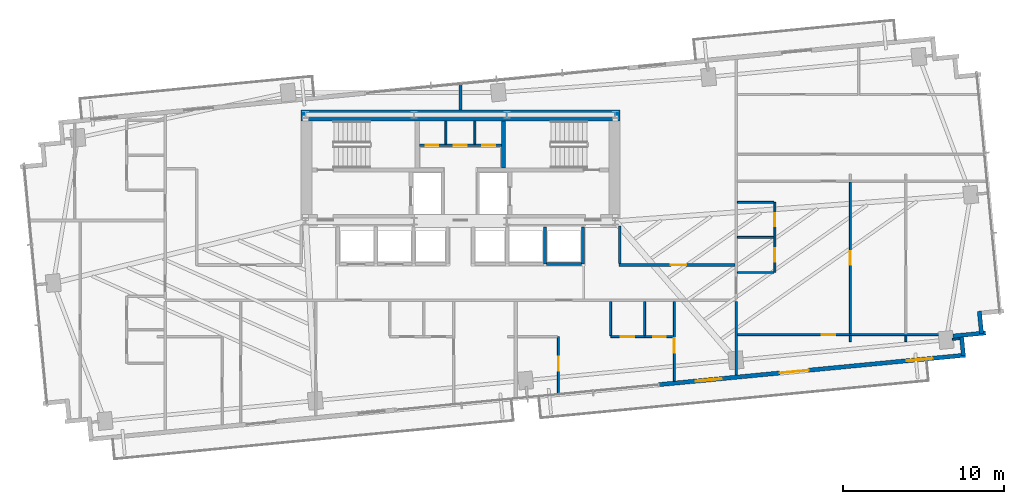
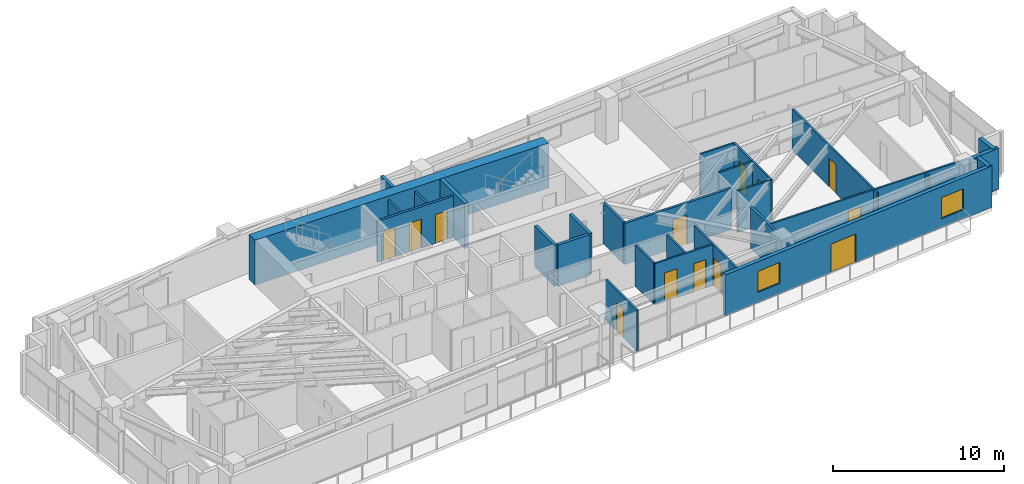
# One storey, part 23 of 27: 30 walls, 13 doors, 2 windows, 15 openings.
"""IFC4 building model written with IfcOpenShell, lengths in metres."""

from ifc_helpers import new_model, si_unit, direction, frame, frame_2d, origin, place, context, subcontext, project, spatial, rectangle, extrude, source, transform, mapped, material, layer, layer_set, type_object, type_shapes, element, fill, save


model = new_model("IFC4")

# Units and contexts
model_context = context("Model", 3, precision=1e-05, world=origin(), true_north=direction((0.0, 1.0)))
body_context = subcontext(model_context, "Body", "Model", "MODEL_VIEW")
ifc_project = project(units=[si_unit("LENGTHUNIT", "METRE"), si_unit("AREAUNIT", "SQUARE_METRE"), si_unit("VOLUMEUNIT", "CUBIC_METRE"), si_unit("PLANEANGLEUNIT", "RADIAN"), si_unit("MASSUNIT", "GRAM", prefix="KILO")], contexts=[model_context])

# Site, building, storey
site_placement = place(None, origin())
site = spatial("IfcSite", under=ifc_project, at=site_placement, CompositionType="ELEMENT")
building_placement = place(site_placement, origin())
building = spatial("IfcBuilding", under=site, at=building_placement, Name="Astriad Promenade Condominiums", CompositionType="ELEMENT")
storey_placement = place(building_placement, frame((0.0, 0.0, 84.199951171875)))
storey = spatial("IfcBuildingStorey", under=building, at=storey_placement, Name="L23", CompositionType="ELEMENT", Elevation=84.199951171875)

# Walls
ifc_material_1 = material(Name="Concrete C60/75", Category="concrete")
ifc_layer_1 = layer(ifc_material_1, 0.699951171875)
ifc_layer_set_1 = layer_set([ifc_layer_1], Name="Concrete C60/75")
wall_type_1 = type_object("IfcWallType", Name="CW-SHEAR-700", PredefinedType="SHEAR", material=ifc_layer_set_1)
wall_1_placement = place(storey_placement, frame((26.10009765625, 23.949951171875, 0.0), z_axis=(0.0, 0.0, 1.0), x_axis=(1.0, 0.0, 0.0)))
element("IfcWall", 1, at=wall_1_placement, inside=storey, type_object=wall_type_1, Name="CW-CORE-N-L23", PredefinedType="SHEAR", context=body_context, shape_type="SweptSolid", body=[
    extrude(rectangle(XDim=19.7998046875, YDim=0.699951171875, at=frame_2d((9.89990234375, 0.0))), origin(), (0.0, 0.0, 1.0), 3.199951171875),
])
ifc_material_2 = material(Name="Concrete C50/60", Category="concrete")
ifc_layer_2 = layer(ifc_material_2, 0.25)
ifc_layer_set_2 = layer_set([ifc_layer_2], Name="Concrete C50/60")
wall_type_2 = type_object("IfcWallType", Name="WALL-CORE-INT-250", PredefinedType="SOLIDWALL", material=ifc_layer_set_2)
wall_2_placement = place(storey_placement, frame((38.675048828125, 20.701904296875, 0.0), z_axis=(0.0, 0.0, 1.0), x_axis=(0.0, 1.0, 0.0)))
element("IfcWall", 2, at=wall_2_placement, inside=storey, type_object=wall_type_2, Name="CW-ST2-W-L23", PredefinedType="SOLIDWALL", context=body_context, shape_type="SweptSolid", body=[
    extrude(rectangle(XDim=2.89599609375, YDim=0.25, at=frame_2d((1.447998046875, 0.0))), origin(), (0.0, 0.0, 1.0), 3.199951171875),
])

# Wall, openings, doors
ifc_material_3 = material(Name="Fire-Rated Gypsum Partition")
ifc_layer_3 = layer(ifc_material_3, 0.159912109375)
ifc_layer_set_3 = layer_set([ifc_layer_3], Name="Fire-Rated Gypsum Partition")
wall_type_3 = type_object("IfcWallType", Name="WALL-CORR-160", PredefinedType="PARTITIONING", material=ifc_layer_set_3)
wall_3_placement = place(storey_placement, frame((33.451904296875, 22.10009765625, 0.0), z_axis=(0.0, 0.0, 1.0), x_axis=(1.0, 0.0, 0.0)))
wall_3 = element("IfcWall", 3, at=wall_3_placement, inside=storey, type_object=wall_type_3, Name="CW-AUX-N-L23", PredefinedType="PARTITIONING", context=body_context, shape_type="SweptSolid", body=[
    extrude(rectangle(XDim=5.09619140625, YDim=0.159912109375, at=frame_2d((2.548095703125, 0.0))), origin(), (0.0, 0.0, 1.0), 2.93994140625),
])
opening_1_placement = place(wall_3_placement, frame((0.387939453125, 0.0, 0.0)))
opening_1 = element("IfcOpeningElement", 4, at=opening_1_placement, cuts=wall_3, Name="Opening FD60-SV-080", PredefinedType="OPENING", context=body_context, shape_type="SweptSolid", body=[
    extrude(rectangle(XDim=0.800048828125, YDim=2.050048828125, at=frame_2d((0.39990234375, 1.02490234375))), frame((0.0, 0.08984375, 0.0), z_axis=(0.0, -1.0, 0.0), x_axis=(1.0, 0.0, 0.0)), (0.0, 0.0, 1.0), 0.179931640625),
])
opening_2_placement = place(wall_3_placement, frame((2.14794921875, 0.0, 0.0)))
opening_2 = element("IfcOpeningElement", 5, at=opening_2_placement, cuts=wall_3, Name="Opening FD60-SV-080", PredefinedType="OPENING", context=body_context, shape_type="SweptSolid", body=[
    extrude(rectangle(XDim=0.800048828125, YDim=2.050048828125, at=frame_2d((0.39990234375, 1.02490234375))), frame((0.0, 0.08984375, 0.0), z_axis=(0.0, -1.0, 0.0), x_axis=(1.0, 0.0, 0.0)), (0.0, 0.0, 1.0), 0.179931640625),
])
opening_3_placement = place(wall_3_placement, frame((3.907958984375, 0.0, 0.0)))
opening_3 = element("IfcOpeningElement", 6, at=opening_3_placement, cuts=wall_3, Name="Opening FD60-SV-080", PredefinedType="OPENING", context=body_context, shape_type="SweptSolid", body=[
    extrude(rectangle(XDim=0.800048828125, YDim=2.050048828125, at=frame_2d((0.39990234375, 1.02490234375))), frame((0.0, 0.08984375, 0.0), z_axis=(0.0, -1.0, 0.0), x_axis=(1.0, 0.0, 0.0)), (0.0, 0.0, 1.0), 0.179931640625),
])
ifc_material_4 = material(Name="Fire-Rated Riser Closet Door")
door_type_1 = type_object("IfcDoorType", Name="FD60-SV-080", OperationType="NOTDEFINED", PredefinedType="DOOR", material=ifc_material_4)
shared_shape_1 = source(origin(), body_context, "Body", "SweptSolid", [
    extrude(rectangle(XDim=0.800048828125, YDim=2.050048828125, at=frame_2d((0.39990234375, 1.02490234375))), frame((0.0, 0.02490234375, 0.0), z_axis=(0.0, -1.0, 0.0), x_axis=(1.0, 0.0, 0.0)), (0.0, 0.0, 1.0), 0.050048828125),
])
type_shapes(door_type_1, [shared_shape_1])
door_1_placement = place(opening_1_placement, origin())
door_1 = element("IfcDoor", 7, at=door_1_placement, inside=storey, type_object=door_type_1, Name="D-AUX1-L23", OperationType="SINGLE_SWING_LEFT", OverallHeight=2.050048828125, OverallWidth=0.800048828125, PredefinedType="DOOR", context=body_context, shape_type="MappedRepresentation", body=[
    mapped(shared_shape_1, transform((0.0, 0.0, 0.0), scale=1.0)),
])
fill(opening_1, door_1)
door_2_placement = place(opening_2_placement, origin())
door_2 = element("IfcDoor", 8, at=door_2_placement, inside=storey, type_object=door_type_1, Name="D-AUX2-L23", OperationType="SINGLE_SWING_RIGHT", OverallHeight=2.050048828125, OverallWidth=0.800048828125, PredefinedType="DOOR", context=body_context, shape_type="MappedRepresentation", body=[
    mapped(shared_shape_1, transform((0.0, 0.0, 0.0), scale=1.0)),
])
fill(opening_2, door_2)
door_3_placement = place(opening_3_placement, origin())
door_3 = element("IfcDoor", 9, at=door_3_placement, inside=storey, type_object=door_type_1, Name="D-AUX3-L23", OperationType="SINGLE_SWING_LEFT", OverallHeight=2.050048828125, OverallWidth=0.800048828125, PredefinedType="DOOR", context=body_context, shape_type="MappedRepresentation", body=[
    mapped(shared_shape_1, transform((0.0, 0.0, 0.0), scale=1.0)),
])
fill(opening_3, door_3)

# Wall
wall_4_placement = place(storey_placement, frame((53.10009765625, 7.85546875, 0.0), z_axis=(0.0, 0.0, 1.0), x_axis=(0.0, 1.0, 0.0)))
element("IfcWall", 10, at=wall_4_placement, inside=storey, type_object=wall_type_3, Name="PT-COR-E-L23", PredefinedType="PARTITIONING", context=body_context, shape_type="SweptSolid", body=[
    extrude(rectangle(XDim=4.552490234375, YDim=0.159912109375, at=frame_2d((2.2763671875, 0.0))), origin(), (0.0, 0.0, 1.0), 2.93994140625),
])

# Wall, opening, door
wall_5_placement = place(storey_placement, frame((45.840087890625, 14.679931640625, 0.0), z_axis=(0.0, 0.0, 1.0), x_axis=(1.0, 0.0, 0.0)))
wall_5 = element("IfcWall", 11, at=wall_5_placement, inside=storey, type_object=wall_type_3, Name="PT-FLK-NE-L23", PredefinedType="PARTITIONING", context=body_context, shape_type="SweptSolid", body=[
    extrude(rectangle(XDim=7.177978515625, YDim=0.159912109375, at=frame_2d((3.5888671875, 0.0))), origin(), (0.0, 0.0, 1.0), 2.93994140625),
])
opening_4_placement = place(wall_5_placement, frame((3.215087890625, 0.0, 0.0)))
opening_4 = element("IfcOpeningElement", 12, at=opening_4_placement, cuts=wall_5, Name="Opening FD60-APT-095", PredefinedType="OPENING", context=body_context, shape_type="SweptSolid", body=[
    extrude(rectangle(XDim=0.949951171875, YDim=2.06005859375, at=frame_2d((0.47509765625, 1.030029296875))), frame((0.0, 0.08984375, 0.0), z_axis=(0.0, -1.0, 0.0), x_axis=(1.0, 0.0, 0.0)), (0.0, 0.0, 1.0), 0.179931640625),
])
ifc_material_5 = material(Name="Solid-Core Acoustic Timber Residence Entry Door", Category="wood")
door_type_2 = type_object("IfcDoorType", Name="FD60-APT-095", OperationType="NOTDEFINED", PredefinedType="DOOR", material=ifc_material_5)
shared_shape_2 = source(origin(), body_context, "Body", "SweptSolid", [
    extrude(rectangle(XDim=0.949951171875, YDim=2.06005859375, at=frame_2d((0.47509765625, 1.030029296875))), frame((0.0, 0.02490234375, 0.0), z_axis=(0.0, -1.0, 0.0), x_axis=(1.0, 0.0, 0.0)), (0.0, 0.0, 1.0), 0.050048828125),
])
type_shapes(door_type_2, [shared_shape_2])
door_4_placement = place(opening_4_placement, origin())
door_4 = element("IfcDoor", 13, at=door_4_placement, inside=storey, type_object=door_type_2, Name="D-NEA-L23", OperationType="SINGLE_SWING_LEFT", OverallHeight=2.06005859375, OverallWidth=0.949951171875, PredefinedType="DOOR", context=body_context, shape_type="MappedRepresentation", body=[
    mapped(shared_shape_2, transform((0.0, 0.0, 0.0), scale=1.0)),
])
fill(opening_4, door_4)

# Walls
wall_6_placement = place(storey_placement, frame((45.8798828125, 14.761962890625, 0.0), z_axis=(0.0, 0.0, 1.0), x_axis=(0.0, 1.0, 0.0)))
element("IfcWall", 14, at=wall_6_placement, inside=storey, type_object=wall_type_3, Name="PT-ESPUR-E-L23", PredefinedType="PARTITIONING", context=body_context, shape_type="SweptSolid", body=[
    extrude(rectangle(XDim=2.3359375, YDim=0.159912109375, at=frame_2d((1.16796875, 0.0))), origin(), (0.0, 0.0, 1.0), 2.93994140625),
])
ifc_material_6 = material(Name="Acoustic Double-Stud Gypsum Partition")
ifc_layer_4 = layer(ifc_material_6, 0.199951171875)
ifc_layer_set_4 = layer_set([ifc_layer_4], Name="Acoustic Double-Stud Gypsum Partition")
wall_type_4 = type_object("IfcWallType", Name="WALL-DEMISING-200", PredefinedType="PARTITIONING", material=ifc_layer_set_4)
wall_7_placement = place(storey_placement, frame((36.0, 24.302001953125, 0.0), z_axis=(0.0, 0.0, 1.0), x_axis=(0.0, 1.0, 0.0)))
element("IfcWall", 15, at=wall_7_placement, inside=storey, type_object=wall_type_4, Name="PT-NC-MID-L23", PredefinedType="PARTITIONING", context=body_context, shape_type="SweptSolid", body=[
    extrude(rectangle(XDim=1.65576171875, YDim=0.199951171875, at=frame_2d((0.827880859375, 0.0))), origin(), (0.0, 0.0, 1.0), 2.93994140625),
])
ifc_material_7 = material(Name="Precast concrete C50/60", Category="concrete")
ifc_layer_5 = layer(ifc_material_7, 0.260009765625)
ifc_layer_set_5 = layer_set([ifc_layer_5], Name="Precast concrete C50/60")
wall_type_5 = type_object("IfcWallType", Name="WALL-EXT-TWR-260", PredefinedType="STANDARD", material=ifc_layer_set_5)
wall_8_placement = place(storey_placement, frame((68.18310546875, 11.817138671875, 0.0), z_axis=(0.0, 0.0, 1.0), x_axis=(0.095915846097, -0.995389446633, 0.0)))
element("IfcWall", 16, at=wall_8_placement, inside=storey, type_object=wall_type_5, Name="W-SER-L23-15", PredefinedType="STANDARD", context=body_context, shape_type="SweptSolid", body=[
    extrude(rectangle(XDim=1.394775390625, YDim=0.260009765625, at=frame_2d((0.697265625, 0.0))), origin(), (0.0, 0.0, 1.0), 2.93994140625),
])
wall_9_placement = place(storey_placement, frame((68.57421875, 10.468505859375, 0.0), z_axis=(0.0, 0.0, 1.0), x_axis=(-0.99539865733, -0.095820211783, 0.0)))
element("IfcWall", 17, at=wall_9_placement, inside=storey, type_object=wall_type_5, Name="W-SER-L23-16", PredefinedType="STANDARD", context=body_context, shape_type="SweptSolid", body=[
    extrude(rectangle(XDim=2.028076171875, YDim=0.260009765625, at=frame_2d((1.01416015625, 0.0))), origin(), (0.0, 0.0, 1.0), 2.93994140625),
])
wall_10_placement = place(storey_placement, frame((67.082275390625, 10.209228515625, 0.0), z_axis=(0.0, 0.0, 1.0), x_axis=(0.09576095695, -0.995404359607, 0.0)))
element("IfcWall", 18, at=wall_10_placement, inside=storey, type_object=wall_type_5, Name="W-SER-L23-17", PredefinedType="STANDARD", context=body_context, shape_type="SweptSolid", body=[
    extrude(rectangle(XDim=1.14990234375, YDim=0.260009765625, at=frame_2d((0.574951171875, 0.0))), origin(), (0.0, 0.0, 1.0), 2.93994140625),
])

# Wall, openings, door, windows
wall_11_placement = place(storey_placement, frame((67.3203125, 9.092041015625, 0.0), z_axis=(0.0, 0.0, 1.0), x_axis=(-0.995396521236, -0.095842399342, 0.0)))
wall_11 = element("IfcWall", 19, at=wall_11_placement, inside=storey, type_object=wall_type_5, Name="W-EXT-L23-S1", PredefinedType="STANDARD", context=body_context, shape_type="SweptSolid", body=[
    extrude(rectangle(XDim=19.10986328125, YDim=0.260009765625, at=frame_2d((9.554931640625, 0.0))), origin(), (0.0, 0.0, 1.0), 2.93994140625),
])
opening_5_placement = place(wall_11_placement, frame((9.77392578125, 0.0, 0.0)))
opening_5 = element("IfcOpeningElement", 20, at=opening_5_placement, cuts=wall_11, Name="Opening BD-1822-SLD", PredefinedType="OPENING", context=body_context, shape_type="SweptSolid", body=[
    extrude(rectangle(XDim=1.800048828125, YDim=2.06005859375, at=frame_2d((0.89990234375, 1.030029296875))), frame((0.0, 0.139892578125, 0.0), z_axis=(0.0, -1.0, 0.0), x_axis=(1.0, 0.0, 0.0)), (0.0, 0.0, 1.0), 0.280029296875),
])
opening_6_placement = place(wall_11_placement, frame((2.050048828125, 0.0, 0.64990234375)))
opening_6 = element("IfcOpeningElement", 21, at=opening_6_placement, cuts=wall_11, Name="Opening WIN-TWR-1620", PredefinedType="OPENING", context=body_context, shape_type="SweptSolid", body=[
    extrude(rectangle(XDim=1.60009765625, YDim=1.5, at=frame_2d((0.800048828125, 0.75))), frame((0.0, 0.139892578125, 0.0), z_axis=(0.0, -1.0, 0.0), x_axis=(1.0, 0.0, 0.0)), (0.0, 0.0, 1.0), 0.280029296875),
])
opening_7_placement = place(wall_11_placement, frame((15.197998046875, 0.0, 0.75)))
opening_7 = element("IfcOpeningElement", 22, at=opening_7_placement, cuts=wall_11, Name="Opening WIN-TWR-1620", PredefinedType="OPENING", context=body_context, shape_type="SweptSolid", body=[
    extrude(rectangle(XDim=1.60009765625, YDim=1.5, at=frame_2d((0.800048828125, 0.75))), frame((0.0, 0.139892578125, 0.0), z_axis=(0.0, -1.0, 0.0), x_axis=(1.0, 0.0, 0.0)), (0.0, 0.0, 1.0), 0.280029296875),
])
ifc_material_8 = material(Name="Thermally Broken Aluminium Sliding Balcony Door", Category="aluminium")
door_type_3 = type_object("IfcDoorType", Name="BD-1822-SLD", OperationType="NOTDEFINED", PredefinedType="DOOR", material=ifc_material_8)
shared_shape_3 = source(origin(), body_context, "Body", "SweptSolid", [
    extrude(rectangle(XDim=1.800048828125, YDim=2.06005859375, at=frame_2d((0.89990234375, 1.030029296875))), frame((0.0, 0.02490234375, 0.0), z_axis=(0.0, -1.0, 0.0), x_axis=(1.0, 0.0, 0.0)), (0.0, 0.0, 1.0), 0.050048828125),
])
type_shapes(door_type_3, [shared_shape_3])
door_5_placement = place(opening_5_placement, origin())
door_5 = element("IfcDoor", 23, at=door_5_placement, inside=storey, type_object=door_type_3, Name="BD-L23-SE", OperationType="SLIDING_TO_RIGHT", OverallHeight=2.06005859375, OverallWidth=1.800048828125, PredefinedType="DOOR", context=body_context, shape_type="MappedRepresentation", body=[
    mapped(shared_shape_3, transform((0.0, 0.0, 0.0), scale=1.0)),
])
fill(opening_5, door_5)
ifc_material_9 = material(Name="Dark Tinted Triple-Glazed Aluminium Window", Category="aluminium")
window_type = type_object("IfcWindowType", Name="WIN-TWR-1620", PartitioningType="SINGLE_PANEL", PredefinedType="WINDOW", material=ifc_material_9)
shared_shape_4 = source(origin(), body_context, "Body", "SweptSolid", [
    extrude(rectangle(XDim=1.60009765625, YDim=1.5, at=frame_2d((0.800048828125, 0.75))), frame((0.0, 0.030029296875, 0.0), z_axis=(0.0, -1.0, 0.0), x_axis=(1.0, 0.0, 0.0)), (0.0, 0.0, 1.0), 0.06005859375),
])
type_shapes(window_type, [shared_shape_4])
window_1_placement = place(opening_6_placement, origin())
window_1 = element("IfcWindow", 24, at=window_1_placement, inside=storey, type_object=window_type, Name="WIN-L23-SE", OverallHeight=1.5, OverallWidth=1.60009765625, PartitioningType="SINGLE_PANEL", PredefinedType="WINDOW", context=body_context, shape_type="MappedRepresentation", body=[
    mapped(shared_shape_4, transform((0.0, 0.0, 0.0), scale=1.0)),
])
fill(opening_6, window_1)
window_2_placement = place(opening_7_placement, origin())
window_2 = element("IfcWindow", 25, at=window_2_placement, inside=storey, type_object=window_type, Name="WIN-DW-L23-S2-BD1", OverallHeight=1.5, OverallWidth=1.60009765625, PartitioningType="SINGLE_PANEL", PredefinedType="WINDOW", context=body_context, shape_type="MappedRepresentation", body=[
    mapped(shared_shape_4, transform((0.0, 0.0, 0.0), scale=1.0)),
])
fill(opening_7, window_2)

# Walls
ifc_material_10 = material(Name="Acoustic Metal-Stud Gypsum Partition")
ifc_layer_6 = layer(ifc_material_10, 0.1201171875)
ifc_layer_set_6 = layer_set([ifc_layer_6], Name="Acoustic Metal-Stud Gypsum Partition")
wall_type_6 = type_object("IfcWallType", Name="WALL-PART-120", PredefinedType="PARTITIONING", material=ifc_layer_set_6)
for number, where, z_axis, x_axis, name in (
    (26, (35.10009765625, 22.181884765625, 0.0), (0.0, 0.0, 1.0), (0.0, 1.0, 0.0), "CW-AUX-V1-L23"),
    (27, (36.89990234375, 22.181884765625, 0.0), (0.0, 0.0, 1.0), (0.0, 1.0, 0.0), "CW-AUX-V2-L23"),
):
    element("IfcWall", number, at=place(storey_placement, frame(where, z_axis=z_axis, x_axis=x_axis)), inside=storey, type_object=wall_type_6, Name=name, PredefinedType="PARTITIONING", context=body_context, shape_type="SweptSolid", body=[
        extrude(rectangle(XDim=1.416015625, YDim=0.1201171875, at=frame_2d((0.7080078125, 0.0))), origin(), (0.0, 0.0, 1.0), 2.93994140625),
    ])

# Wall, opening, door
wall_12_placement = place(storey_placement, frame((49.27001953125, 7.486572265625, 0.0), z_axis=(0.0, 0.0, 1.0), x_axis=(0.0, 1.0, 0.0)))
wall_12 = element("IfcWall", 28, at=wall_12_placement, inside=storey, type_object=wall_type_6, Name="PT-L23-S2-BD1", PredefinedType="PARTITIONING", context=body_context, shape_type="SweptSolid", body=[
    extrude(rectangle(XDim=4.92138671875, YDim=0.1201171875, at=frame_2d((2.460693359375, 0.0))), origin(), (0.0, 0.0, 1.0), 2.93994140625),
])
opening_8_placement = place(wall_12_placement, frame((1.75244140625, 0.0, 0.0)))
opening_8 = element("IfcOpeningElement", 29, at=opening_8_placement, cuts=wall_12, Name="Opening D-INT-090", PredefinedType="OPENING", context=body_context, shape_type="SweptSolid", body=[
    extrude(rectangle(XDim=0.89990234375, YDim=2.050048828125, at=frame_2d((0.449951171875, 1.02490234375))), frame((0.0, 0.070068359375, 0.0), z_axis=(0.0, -1.0, 0.0), x_axis=(1.0, 0.0, 0.0)), (0.0, 0.0, 1.0), 0.14013671875),
])
ifc_material_11 = material(Name="Painted Solid-Core Timber Bedroom Door", Category="wood")
door_type_4 = type_object("IfcDoorType", Name="D-INT-090", OperationType="NOTDEFINED", PredefinedType="DOOR", material=ifc_material_11)
shared_shape_5 = source(origin(), body_context, "Body", "SweptSolid", [
    extrude(rectangle(XDim=0.89990234375, YDim=2.050048828125, at=frame_2d((0.449951171875, 1.02490234375))), frame((0.0, 0.02490234375, 0.0), z_axis=(0.0, -1.0, 0.0), x_axis=(1.0, 0.0, 0.0)), (0.0, 0.0, 1.0), 0.050048828125),
])
type_shapes(door_type_4, [shared_shape_5])
door_6_placement = place(opening_8_placement, origin())
door_6 = element("IfcDoor", 30, at=door_6_placement, inside=storey, type_object=door_type_4, Name="D-BD1-L23-S2", OperationType="SINGLE_SWING_LEFT", OverallHeight=2.050048828125, OverallWidth=0.89990234375, PredefinedType="DOOR", context=body_context, shape_type="MappedRepresentation", body=[
    mapped(shared_shape_5, transform((0.0, 0.0, 0.0), scale=1.0)),
])
fill(opening_8, door_6)

# Wall, openings, doors
wall_13_placement = place(storey_placement, frame((45.320068359375, 10.239990234375, 0.0), z_axis=(0.0, 0.0, 1.0), x_axis=(1.0, 0.0, 0.0)))
wall_13 = element("IfcWall", 31, at=wall_13_placement, inside=storey, type_object=wall_type_6, Name="PT-L23-S2-PS", PredefinedType="PARTITIONING", context=body_context, shape_type="SweptSolid", body=[
    extrude(rectangle(XDim=3.887939453125, YDim=0.1201171875, at=frame_2d((1.94384765625, 0.0))), origin(), (0.0, 0.0, 1.0), 2.93994140625),
])
opening_9_placement = place(wall_13_placement, frame((0.625, 0.0, 0.0)))
opening_9 = element("IfcOpeningElement", 32, at=opening_9_placement, cuts=wall_13, Name="Opening D-INT-085", PredefinedType="OPENING", context=body_context, shape_type="SweptSolid", body=[
    extrude(rectangle(XDim=0.85009765625, YDim=2.050048828125, at=frame_2d((0.425048828125, 1.02490234375))), frame((0.0, 0.070068359375, 0.0), z_axis=(0.0, -1.0, 0.0), x_axis=(1.0, 0.0, 0.0)), (0.0, 0.0, 1.0), 0.14013671875),
])
opening_10_placement = place(wall_13_placement, frame((2.625, 0.0, 0.0)))
opening_10 = element("IfcOpeningElement", 33, at=opening_10_placement, cuts=wall_13, Name="Opening D-WET-080", PredefinedType="OPENING", context=body_context, shape_type="SweptSolid", body=[
    extrude(rectangle(XDim=0.800048828125, YDim=2.02001953125, at=frame_2d((0.39990234375, 1.010009765625))), frame((0.0, 0.070068359375, 0.0), z_axis=(0.0, -1.0, 0.0), x_axis=(1.0, 0.0, 0.0)), (0.0, 0.0, 1.0), 0.14013671875),
])
ifc_material_12 = material(Name="Moisture-Resistant Timber Bathroom Door", Category="wood")
door_type_5 = type_object("IfcDoorType", Name="D-WET-080", OperationType="NOTDEFINED", PredefinedType="DOOR", material=ifc_material_12)
shared_shape_6 = source(origin(), body_context, "Body", "SweptSolid", [
    extrude(rectangle(XDim=0.800048828125, YDim=2.02001953125, at=frame_2d((0.39990234375, 1.010009765625))), frame((0.0, 0.02490234375, 0.0), z_axis=(0.0, -1.0, 0.0), x_axis=(1.0, 0.0, 0.0)), (0.0, 0.0, 1.0), 0.050048828125),
])
type_shapes(door_type_5, [shared_shape_6])
door_7_placement = place(opening_10_placement, origin())
door_7 = element("IfcDoor", 34, at=door_7_placement, inside=storey, type_object=door_type_5, Name="D-BTH-L23-S2", OperationType="SINGLE_SWING_LEFT", OverallHeight=2.02001953125, OverallWidth=0.800048828125, PredefinedType="DOOR", context=body_context, shape_type="MappedRepresentation", body=[
    mapped(shared_shape_6, transform((0.0, 0.0, 0.0), scale=1.0)),
])
fill(opening_10, door_7)
ifc_material_13 = material(Name="Painted Solid-Core Timber Room Door", Category="wood")
door_type_6 = type_object("IfcDoorType", Name="D-INT-085", OperationType="NOTDEFINED", PredefinedType="DOOR", material=ifc_material_13)
shared_shape_7 = source(origin(), body_context, "Body", "SweptSolid", [
    extrude(rectangle(XDim=0.85009765625, YDim=2.050048828125, at=frame_2d((0.425048828125, 1.02490234375))), frame((0.0, 0.02490234375, 0.0), z_axis=(0.0, -1.0, 0.0), x_axis=(1.0, 0.0, 0.0)), (0.0, 0.0, 1.0), 0.050048828125),
])
type_shapes(door_type_6, [shared_shape_7])
door_8_placement = place(opening_9_placement, origin())
door_8 = element("IfcDoor", 35, at=door_8_placement, inside=storey, type_object=door_type_6, Name="D-KIT-L23-S2", OperationType="SINGLE_SWING_RIGHT", OverallHeight=2.050048828125, OverallWidth=0.85009765625, PredefinedType="DOOR", context=body_context, shape_type="MappedRepresentation", body=[
    mapped(shared_shape_7, transform((0.0, 0.0, 0.0), scale=1.0)),
])
fill(opening_9, door_8)

# Walls
for number, where, z_axis, x_axis, name in (
    (36, (47.419921875, 10.302001953125, 0.0), (0.0, 0.0, 1.0), (0.0, 1.0, 0.0), "PT-L23-S2-PBK"),
    (37, (45.320068359375, 10.302001953125, 0.0), (0.0, 0.0, 1.0), (0.0, 1.0, 0.0), "PT-L23-S2-PKW"),
):
    element("IfcWall", number, at=place(storey_placement, frame(where, z_axis=z_axis, x_axis=x_axis)), inside=storey, type_object=wall_type_6, Name=name, PredefinedType="PARTITIONING", context=body_context, shape_type="SweptSolid", body=[
        extrude(rectangle(XDim=2.10595703125, YDim=0.1201171875, at=frame_2d((1.052978515625, 0.0))), origin(), (0.0, 0.0, 1.0), 2.93994140625),
    ])

# Wall, opening, door
wall_14_placement = place(storey_placement, frame((42.077880859375, 6.611083984375, 0.0), z_axis=(0.0, 0.0, 1.0), x_axis=(0.0, 1.0, 0.0)))
wall_14 = element("IfcWall", 38, at=wall_14_placement, inside=storey, type_object=wall_type_6, Name="PT-L23-S2-EXV", PredefinedType="PARTITIONING", context=body_context, shape_type="SweptSolid", body=[
    extrude(rectangle(XDim=3.62890625, YDim=0.1201171875, at=frame_2d((1.814453125, 0.0))), origin(), (0.0, 0.0, 1.0), 2.93994140625),
])
opening_11_placement = place(wall_14_placement, frame((1.52685546875, 0.0, 0.0)))
opening_11 = element("IfcOpeningElement", 39, at=opening_11_placement, cuts=wall_14, Name="Opening D-INT-085", PredefinedType="OPENING", context=body_context, shape_type="SweptSolid", body=[
    extrude(rectangle(XDim=0.85009765625, YDim=2.050048828125, at=frame_2d((0.425048828125, 1.02490234375))), frame((0.0, 0.070068359375, 0.0), z_axis=(0.0, -1.0, 0.0), x_axis=(1.0, 0.0, 0.0)), (0.0, 0.0, 1.0), 0.14013671875),
])
door_9_placement = place(opening_11_placement, origin())
door_9 = element("IfcDoor", 40, at=door_9_placement, inside=storey, type_object=door_type_6, Name="D-EX-L23-S2", OperationType="SINGLE_SWING_LEFT", OverallHeight=2.050048828125, OverallWidth=0.85009765625, PredefinedType="DOOR", context=body_context, shape_type="MappedRepresentation", body=[
    mapped(shared_shape_7, transform((0.0, 0.0, 0.0), scale=1.0)),
])
fill(opening_11, door_9)

# Wall, openings, doors
wall_15_placement = place(storey_placement, frame((55.5, 14.217041015625, 0.0), z_axis=(0.0, 0.0, 1.0), x_axis=(0.0, 1.0, 0.0)))
wall_15 = element("IfcWall", 41, at=wall_15_placement, inside=storey, type_object=wall_type_6, Name="PT-L23-E1-PV", PredefinedType="PARTITIONING", context=body_context, shape_type="SweptSolid", body=[
    extrude(rectangle(XDim=4.349853515625, YDim=0.1201171875, at=frame_2d((2.1748046875, 0.0))), origin(), (0.0, 0.0, 1.0), 2.93994140625),
])
opening_12_placement = place(wall_15_placement, frame((0.6630859375, 0.0, 0.0)))
opening_12 = element("IfcOpeningElement", 42, at=opening_12_placement, cuts=wall_15, Name="Opening D-INT-085", PredefinedType="OPENING", context=body_context, shape_type="SweptSolid", body=[
    extrude(rectangle(XDim=0.85009765625, YDim=2.050048828125, at=frame_2d((0.425048828125, 1.02490234375))), frame((0.0, 0.070068359375, 0.0), z_axis=(0.0, -1.0, 0.0), x_axis=(1.0, 0.0, 0.0)), (0.0, 0.0, 1.0), 0.14013671875),
])
opening_13_placement = place(wall_15_placement, frame((2.863037109375, 0.0, 0.0)))
opening_13 = element("IfcOpeningElement", 43, at=opening_13_placement, cuts=wall_15, Name="Opening D-WET-080", PredefinedType="OPENING", context=body_context, shape_type="SweptSolid", body=[
    extrude(rectangle(XDim=0.800048828125, YDim=2.02001953125, at=frame_2d((0.39990234375, 1.010009765625))), frame((0.0, 0.070068359375, 0.0), z_axis=(0.0, -1.0, 0.0), x_axis=(1.0, 0.0, 0.0)), (0.0, 0.0, 1.0), 0.14013671875),
])
door_10_placement = place(opening_13_placement, origin())
door_10 = element("IfcDoor", 44, at=door_10_placement, inside=storey, type_object=door_type_5, Name="D-BTH-L23-E1", OperationType="SINGLE_SWING_RIGHT", OverallHeight=2.02001953125, OverallWidth=0.800048828125, PredefinedType="DOOR", context=body_context, shape_type="MappedRepresentation", body=[
    mapped(shared_shape_6, transform((0.0, 0.0, 0.0), scale=1.0)),
])
fill(opening_13, door_10)
door_11_placement = place(opening_12_placement, origin())
door_11 = element("IfcDoor", 45, at=door_11_placement, inside=storey, type_object=door_type_6, Name="D-KIT-L23-E1", OperationType="SINGLE_SWING_LEFT", OverallHeight=2.050048828125, OverallWidth=0.85009765625, PredefinedType="DOOR", context=body_context, shape_type="MappedRepresentation", body=[
    mapped(shared_shape_7, transform((0.0, 0.0, 0.0), scale=1.0)),
])
fill(opening_12, door_11)

# Walls
for number, where, z_axis, x_axis, name in (
    (46, (53.181884765625, 16.39208984375, 0.0), (0.0, 0.0, 1.0), (1.0, 0.0, 0.0), "PT-L23-E1-PM"),
    (47, (53.181884765625, 14.217041015625, 0.0), (0.0, 0.0, 1.0), (1.0, 0.0, 0.0), "PT-L23-E1-PS"),
    (48, (53.181884765625, 18.56689453125, 0.0), (0.0, 0.0, 1.0), (1.0, 0.0, 0.0), "PT-L23-E1-PN"),
):
    element("IfcWall", number, at=place(storey_placement, frame(where, z_axis=z_axis, x_axis=x_axis)), inside=storey, type_object=wall_type_6, Name=name, PredefinedType="PARTITIONING", context=body_context, shape_type="SweptSolid", body=[
        extrude(rectangle(XDim=2.256103515625, YDim=0.1201171875, at=frame_2d((1.1279296875, 0.0))), origin(), (0.0, 0.0, 1.0), 2.93994140625),
    ])

# Wall, opening, door
wall_16_placement = place(storey_placement, frame((53.181884765625, 10.363037109375, 0.0), z_axis=(0.0, 0.0, 1.0), x_axis=(1.0, 0.0, 0.0)))
wall_16 = element("IfcWall", 49, at=wall_16_placement, inside=storey, type_object=wall_type_6, Name="PT-L23-E1-WDS2", PredefinedType="PARTITIONING", context=body_context, shape_type="SweptSolid", body=[
    extrude(rectangle(XDim=13.364990234375, YDim=0.1201171875, at=frame_2d((6.6826171875, 0.0))), origin(), (0.0, 0.0, 1.0), 2.93994140625),
])
opening_14_placement = place(wall_16_placement, frame((5.222900390625, 0.0, 0.0)))
opening_14 = element("IfcOpeningElement", 50, at=opening_14_placement, cuts=wall_16, Name="Opening D-INT-085", PredefinedType="OPENING", context=body_context, shape_type="SweptSolid", body=[
    extrude(rectangle(XDim=0.85009765625, YDim=2.050048828125, at=frame_2d((0.425048828125, 1.02490234375))), frame((0.0, 0.070068359375, 0.0), z_axis=(0.0, -1.0, 0.0), x_axis=(1.0, 0.0, 0.0)), (0.0, 0.0, 1.0), 0.14013671875),
])
door_12_placement = place(opening_14_placement, origin())
door_12 = element("IfcDoor", 51, at=door_12_placement, inside=storey, type_object=door_type_6, Name="D-WDS2-L23-E1", OperationType="SINGLE_SWING_RIGHT", OverallHeight=2.050048828125, OverallWidth=0.85009765625, PredefinedType="DOOR", context=body_context, shape_type="MappedRepresentation", body=[
    mapped(shared_shape_7, transform((0.0, 0.0, 0.0), scale=1.0)),
])
fill(opening_14, door_12)

# Walls
for number, where, z_axis, x_axis, name in (
    (52, (63.62890625, 9.923095703125, 0.0), (0.0, 0.0, 1.0), (0.0, 1.0, 0.0), "PT-L23-E1-WDV4"),
    (53, (60.179931640625, 9.923095703125, 0.0), (0.0, 0.0, 1.0), (0.0, 1.0, 0.0), "PT-L23-E1-WDV5"),
):
    element("IfcWall", number, at=place(storey_placement, frame(where, z_axis=z_axis, x_axis=x_axis)), inside=storey, type_object=wall_type_6, Name=name, PredefinedType="PARTITIONING", context=body_context, shape_type="SweptSolid", body=[
        extrude(rectangle(XDim=0.3779296875, YDim=0.1201171875, at=frame_2d((0.18896484375, 0.0))), origin(), (0.0, 0.0, 1.0), 2.93994140625),
    ])

# Wall, opening, door
wall_17_placement = place(storey_placement, frame((60.179931640625, 10.425048828125, 0.0), z_axis=(0.0, 0.0, 1.0), x_axis=(0.0, 1.0, 0.0)))
wall_17 = element("IfcWall", 54, at=wall_17_placement, inside=storey, type_object=wall_type_6, Name="PT-L23-E1-WDV5-S2", PredefinedType="PARTITIONING", context=body_context, shape_type="SweptSolid", body=[
    extrude(rectangle(XDim=9.39501953125, YDim=0.1201171875, at=frame_2d((4.697509765625, 0.0))), origin(), (0.0, 0.0, 1.0), 2.93994140625),
])
opening_15_placement = place(wall_17_placement, frame((4.27197265625, 0.0, 0.0)))
opening_15 = element("IfcOpeningElement", 55, at=opening_15_placement, cuts=wall_17, Name="Opening D-INT-085", PredefinedType="OPENING", context=body_context, shape_type="SweptSolid", body=[
    extrude(rectangle(XDim=0.85009765625, YDim=2.050048828125, at=frame_2d((0.425048828125, 1.02490234375))), frame((0.0, 0.070068359375, 0.0), z_axis=(0.0, -1.0, 0.0), x_axis=(1.0, 0.0, 0.0)), (0.0, 0.0, 1.0), 0.14013671875),
])
door_13_placement = place(opening_15_placement, origin())
door_13 = element("IfcDoor", 56, at=door_13_placement, inside=storey, type_object=door_type_6, Name="D-WDV5-L23-E1", OperationType="SINGLE_SWING_LEFT", OverallHeight=2.050048828125, OverallWidth=0.85009765625, PredefinedType="DOOR", context=body_context, shape_type="MappedRepresentation", body=[
    mapped(shared_shape_7, transform((0.0, 0.0, 0.0), scale=1.0)),
])
fill(opening_15, door_13)

# Walls
wall_18_placement = place(storey_placement, frame((66.5029296875, 10.068115234375, 0.0), z_axis=(0.0, 0.0, 1.0), x_axis=(0.995389482415, 0.095915474751, 0.0)))
element("IfcWall", 57, at=wall_18_placement, inside=storey, type_object=wall_type_6, Name="PT-PIL-L23-PC05-12", PredefinedType="PARTITIONING", context=body_context, shape_type="SweptSolid", body=[
    extrude(rectangle(XDim=0.458251953125, YDim=0.1201171875, at=frame_2d((0.22900390625, 0.0))), origin(), (0.0, 0.0, 1.0), 2.93994140625),
])
ifc_material_14 = material(Name="Gypsum Shaftliner Assembly")
ifc_layer_7 = layer(ifc_material_14, 0.199951171875)
ifc_layer_set_7 = layer_set([ifc_layer_7], Name="Gypsum Shaftliner Assembly")
wall_type_7 = type_object("IfcWallType", Name="WALL-SHAFT-200", PredefinedType="PARTITIONING", material=ifc_layer_set_7)
for number, where, z_axis, x_axis, name in (
    (58, (41.25, 14.75, 0.0), (0.0, 0.0, 1.0), (0.0, 1.0, 0.0), "PL-H-DIV-L23"),
    (59, (43.60009765625, 14.75, 0.0), (0.0, 0.0, 1.0), (0.0, 1.0, 0.0), "PL-E-OUT-L23"),
):
    element("IfcWall", number, at=place(storey_placement, frame(where, z_axis=z_axis, x_axis=x_axis)), inside=storey, type_object=wall_type_7, Name=name, PredefinedType="PARTITIONING", context=body_context, shape_type="SweptSolid", body=[
        extrude(rectangle(XDim=2.300048828125, YDim=0.199951171875, at=frame_2d((1.14990234375, 0.0))), origin(), (0.0, 0.0, 1.0), 2.93994140625),
    ])
wall_19_placement = place(storey_placement, frame((41.35205078125, 14.75, 0.0), z_axis=(0.0, 0.0, 1.0), x_axis=(1.0, 0.0, 0.0)))
element("IfcWall", 60, at=wall_19_placement, inside=storey, type_object=wall_type_7, Name="PL-H-FRT-L23-S2", PredefinedType="PARTITIONING", context=body_context, shape_type="SweptSolid", body=[
    extrude(rectangle(XDim=2.14599609375, YDim=0.199951171875, at=frame_2d((1.072998046875, 0.0))), origin(), (0.0, 0.0, 1.0), 2.93994140625),
])

save(model, "model.ifc")
